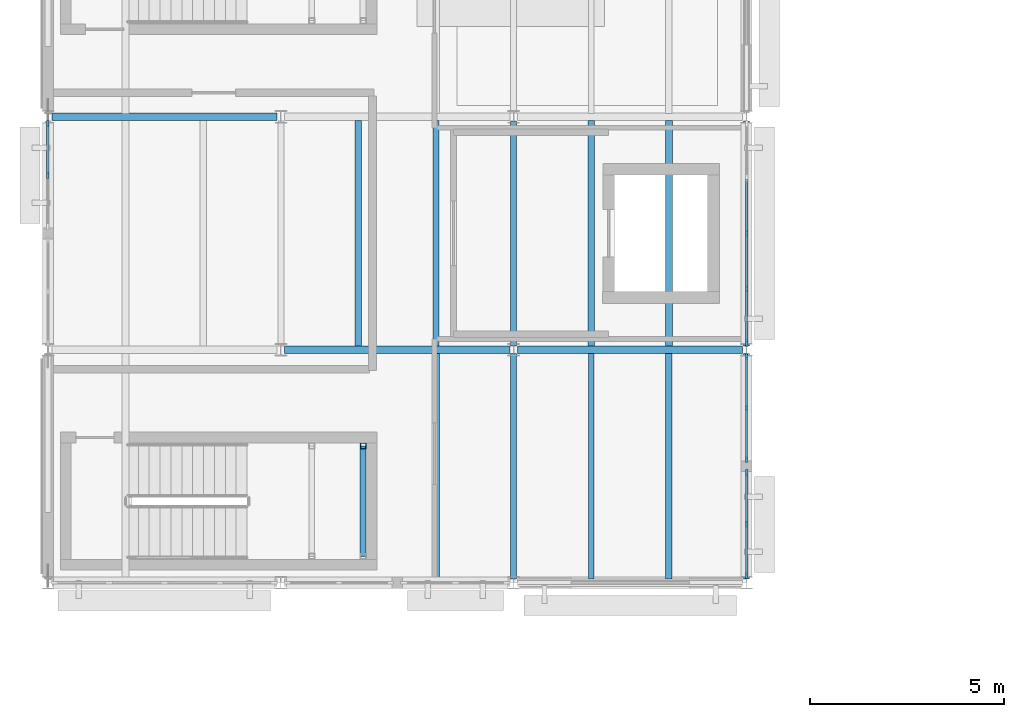
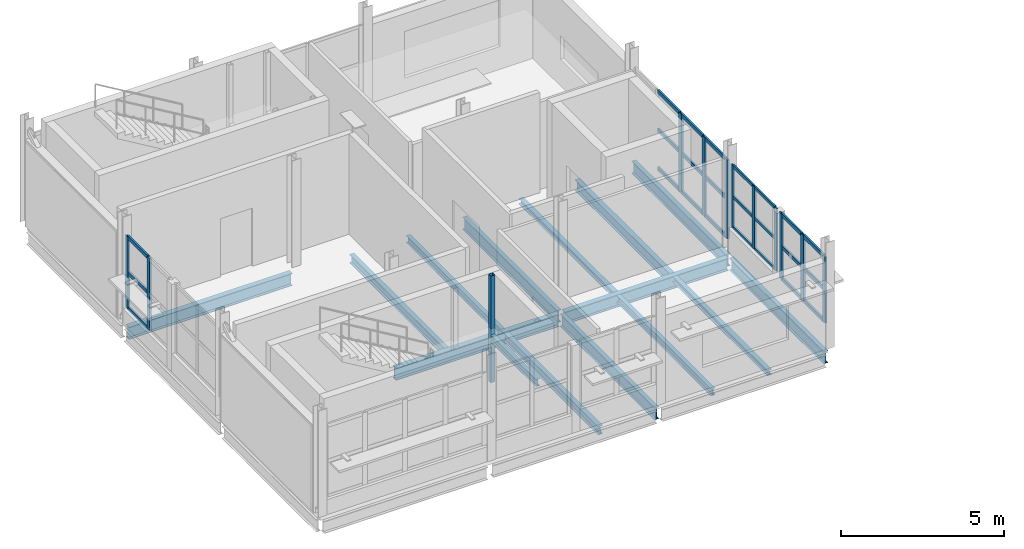
# One storey, part 4 of 23: 36 members, 15 beams, 4 elements without a shape of their own.
"""IFC4 building model written with IfcOpenShell, lengths in metres."""

from ifc_helpers import new_model, si_unit, direction, frame, origin, origin_2d, place, context, subcontext, project, spatial, rectangle, hollow_rectangle, i_section, extrude, material, material_profile, profile_set, type_object, element, aggregate, save


model = new_model("IFC4")

# Units and contexts
model_context = context("Model", 3, precision=1e-05, world=origin(), true_north=direction((0.0, 1.0)))
body_context = subcontext(model_context, "Body", "Model", "MODEL_VIEW")
ifc_project = project(units=[si_unit("LENGTHUNIT", "METRE"), si_unit("AREAUNIT", "SQUARE_METRE"), si_unit("VOLUMEUNIT", "CUBIC_METRE"), si_unit("PLANEANGLEUNIT", "RADIAN"), si_unit("MASSUNIT", "GRAM", prefix="KILO")], contexts=[model_context])

# Site, building, storey
site_placement = place(None, origin())
site = spatial("IfcSite", under=ifc_project, at=site_placement, CompositionType="ELEMENT")
building_placement = place(site_placement, origin())
building = spatial("IfcBuilding", under=site, at=building_placement, Name="Siltcreek Boulevard Central Fire Station", CompositionType="ELEMENT")
storey_placement = place(building_placement, frame((0.0, 0.0, 14.0)))
storey = spatial("IfcBuildingStorey", under=building, at=storey_placement, Name="L04", CompositionType="ELEMENT", Elevation=14.0)

# Beams
ifc_material_1 = material(Name="Structural steel ASTM A992 Gr50", Category="steel")
ifc_material_profile_1 = material_profile(ifc_material_1, i_section(OverallWidth=0.154052734375, OverallDepth=0.458984375, WebThickness=0.009033203125, FlangeThickness=0.015380859375, at=origin_2d()), Name="W460X68")
ifc_profile_set_1 = profile_set([ifc_material_profile_1], Name="Structural steel ASTM A992 Gr50")
beam_type_1 = type_object("IfcBeamType", Name="BM_W460X68", PredefinedType="BEAM", material=ifc_profile_set_1)
for number, where, z_axis, x_axis, name in (
    (1, (54.0, 94.300048828125, -0.489501953125), (0.0, 1.0, 0.0), (-1.0, 0.0, 0.0), "L04 primary steel girder GY-0532"),
    (2, (54.0, 100.300048828125, -0.489501953125), (0.0, 1.0, 0.0), (-1.0, 0.0, 0.0), "L04 primary steel girder GY-0533"),
    (3, (60.0, 94.300048828125, -0.489501953125), (0.0, 1.0, 0.0), (-1.0, 0.0, 0.0), "L04 primary steel girder GY-0535"),
    (4, (60.0, 100.300048828125, -0.489501953125), (0.0, 1.0, 0.0), (-1.0, 0.0, 0.0), "L04 primary steel girder GY-0536"),
):
    element("IfcBeam", number, at=place(storey_placement, frame(where, z_axis=z_axis, x_axis=x_axis)), inside=storey, type_object=beam_type_1, Name=name, PredefinedType="BEAM", context=body_context, shape_type="SweptSolid", body=[
        extrude(i_section(OverallWidth=0.154052734375, OverallDepth=0.458984375, WebThickness=0.009033203125, FlangeThickness=0.015380859375, at=origin_2d()), origin(), (0.0, 0.0, 1.0), 5.800048828125),
    ])
ifc_material_profile_2 = material_profile(ifc_material_1, i_section(OverallWidth=0.19189453125, OverallDepth=0.462890625, WebThickness=0.010498046875, FlangeThickness=0.017578125, at=origin_2d()), Name="W460X89")
ifc_profile_set_2 = profile_set([ifc_material_profile_2], Name="Structural steel ASTM A992 Gr50")
beam_type_2 = type_object("IfcBeamType", Name="BM_W460X89", PredefinedType="BEAM", material=ifc_profile_set_2)
for number, where, z_axis, x_axis, name in (
    (5, (48.10009765625, 100.199951171875, -0.491455078125), (1.0, 0.0, 0.0), (0.0, 1.0, 0.0), "L04 primary steel girder GX-0520"),
    (6, (54.10009765625, 100.199951171875, -0.491455078125), (1.0, 0.0, 0.0), (0.0, 1.0, 0.0), "L04 primary steel girder GX-0521"),
    (7, (42.10009765625, 106.199951171875, -0.491455078125), (1.0, 0.0, 0.0), (0.0, 1.0, 0.0), "L04 primary steel girder GX-0522"),
):
    element("IfcBeam", number, at=place(storey_placement, frame(where, z_axis=z_axis, x_axis=x_axis)), inside=storey, type_object=beam_type_2, Name=name, PredefinedType="BEAM", context=body_context, shape_type="SweptSolid", body=[
        extrude(i_section(OverallWidth=0.19189453125, OverallDepth=0.462890625, WebThickness=0.010498046875, FlangeThickness=0.017578125, at=origin_2d()), origin(), (0.0, 0.0, 1.0), 5.7998046875),
    ])

# Member
ifc_material_2 = material(Name="Structural steel ASTM A500 GrC", Category="steel")
ifc_material_profile_3 = material_profile(ifc_material_2, hollow_rectangle(XDim=0.14990234375, YDim=0.14990234375, WallThickness=0.008056640625, at=origin_2d()), Name="HSS150X150X8.0")
ifc_profile_set_3 = profile_set([ifc_material_profile_3], Name="Structural steel ASTM A500 GrC")
member_type_1 = type_object("IfcMemberType", Name="BR_HSS150_8", PredefinedType="BRACE", material=ifc_profile_set_3)
member_1_placement = place(storey_placement, frame((50.1201171875, 97.719970703125, 0.0), z_axis=(0.0, 0.0, 1.0), x_axis=(1.0, 0.0, 0.0)))
element("IfcMember", 8, at=member_1_placement, inside=storey, type_object=member_type_1, Name="L04 ST-V3A stair landing corner post NE", PredefinedType="BRACE", context=body_context, shape_type="SweptSolid", body=[
    extrude(hollow_rectangle(XDim=0.14990234375, YDim=0.14990234375, WallThickness=0.008056640625, at=origin_2d()), origin(), (0.0, 0.0, 1.0), 4.0),
])

# Curtain wall, members
ifc_material_3 = material(Name="Anodized aluminum and low-E insulated glazing", Category="aluminium")
curtain_wall_type_1 = type_object("IfcCurtainWallType", Name="CW_SYS_06", PredefinedType="USERDEFINED", material=ifc_material_3)
curtain_wall_1_placement = place(storey_placement, origin())
curtain_wall_1 = element("IfcCurtainWall", 9, at=curtain_wall_1_placement, inside=storey, type_object=curtain_wall_type_1, Name="L04 V3 unitised curtain wall CW-065", ObjectType="CURTAIN WALL", PredefinedType="USERDEFINED")
ifc_material_4 = material(Name="Anodized 6063-T6 aluminum framing", Category="aluminium")
ifc_material_profile_4 = material_profile(ifc_material_4, rectangle(XDim=0.06005859375, YDim=0.14990234375, at=origin_2d()), Name="MULL60X150")
ifc_profile_set_4 = profile_set([ifc_material_profile_4], Name="Anodized 6063-T6 aluminum framing")
member_type_2 = type_object("IfcMemberType", Name="CWM_60X150", PredefinedType="MULLION", material=ifc_profile_set_4)
member_2_placement = place(storey_placement, frame((60.0, 97.3701171875, 0.919921875), z_axis=(0.0, 0.0, 1.0), x_axis=(-1.0, 0.0, 0.0)))
member_2 = element("IfcMember", 10, at=member_2_placement, type_object=member_type_2, Name="CW-065 mullion 1", PredefinedType="MULLION", context=body_context, shape_type="SweptSolid", body=[
    extrude(rectangle(XDim=0.06005859375, YDim=0.14990234375, at=origin_2d()), origin(), (0.0, 0.0, 1.0), 2.35302734375),
])
member_3_placement = place(storey_placement, frame((60.0, 98.697509765625, 0.919921875), z_axis=(0.0, 0.0, 1.0), x_axis=(-1.0, 0.0, 0.0)))
member_3 = element("IfcMember", 11, at=member_3_placement, type_object=member_type_2, Name="CW-065 mullion 2", PredefinedType="MULLION", context=body_context, shape_type="SweptSolid", body=[
    extrude(rectangle(XDim=0.06005859375, YDim=0.14990234375, at=origin_2d()), origin(), (0.0, 0.0, 1.0), 2.35302734375),
])
member_4_placement = place(storey_placement, frame((60.0, 100.02490234375, 0.919921875), z_axis=(0.0, 0.0, 1.0), x_axis=(-1.0, 0.0, 0.0)))
member_4 = element("IfcMember", 12, at=member_4_placement, type_object=member_type_2, Name="CW-065 mullion 3", PredefinedType="MULLION", context=body_context, shape_type="SweptSolid", body=[
    extrude(rectangle(XDim=0.06005859375, YDim=0.14990234375, at=origin_2d()), origin(), (0.0, 0.0, 1.0), 2.35302734375),
])

curtain_wall_type_2 = type_object("IfcCurtainWallType", Name="CW_SYS_03", PredefinedType="USERDEFINED", material=ifc_material_3)
curtain_wall_2_placement = place(storey_placement, origin())
curtain_wall_2 = element("IfcCurtainWall", 13, at=curtain_wall_2_placement, inside=storey, type_object=curtain_wall_type_2, Name="L04 V3 unitised curtain wall CW-062", ObjectType="CURTAIN WALL", PredefinedType="USERDEFINED")
ifc_material_profile_5 = material_profile(ifc_material_4, rectangle(XDim=0.06494140625, YDim=0.175048828125, at=origin_2d()), Name="MULL65X175")
ifc_profile_set_5 = profile_set([ifc_material_profile_5], Name="Anodized 6063-T6 aluminum framing")
member_type_3 = type_object("IfcMemberType", Name="CWM_65X175", PredefinedType="MULLION", material=ifc_profile_set_5)
member_5_placement = place(storey_placement, frame((42.0, 106.0224609375, 0.56005859375), z_axis=(0.0, 0.0, 1.0), x_axis=(1.0, 0.0, 0.0)))
member_5 = element("IfcMember", 14, at=member_5_placement, type_object=member_type_3, Name="CW-062 mullion 1", PredefinedType="MULLION", context=body_context, shape_type="SweptSolid", body=[
    extrude(rectangle(XDim=0.06494140625, YDim=0.175048828125, at=origin_2d()), origin(), (0.0, 0.0, 1.0), 2.712890625),
])
member_6_placement = place(storey_placement, frame((42.0, 104.697509765625, 0.56005859375), z_axis=(0.0, 0.0, 1.0), x_axis=(1.0, 0.0, 0.0)))
member_6 = element("IfcMember", 15, at=member_6_placement, type_object=member_type_3, Name="CW-062 mullion 2", PredefinedType="MULLION", context=body_context, shape_type="SweptSolid", body=[
    extrude(rectangle(XDim=0.06494140625, YDim=0.175048828125, at=origin_2d()), origin(), (0.0, 0.0, 1.0), 2.712890625),
])

curtain_wall_type_3 = type_object("IfcCurtainWallType", Name="CW_SYS_05", PredefinedType="USERDEFINED", material=ifc_material_3)
curtain_wall_3_placement = place(storey_placement, origin())
curtain_wall_3 = element("IfcCurtainWall", 16, at=curtain_wall_3_placement, inside=storey, type_object=curtain_wall_type_3, Name="L04 V3 unitised curtain wall CW-064", ObjectType="CURTAIN WALL", PredefinedType="USERDEFINED")
member_7_placement = place(storey_placement, frame((60.0, 94.37744140625, 0.800048828125), z_axis=(0.0, 0.0, 1.0), x_axis=(-1.0, 0.0, 0.0)))
member_7 = element("IfcMember", 17, at=member_7_placement, type_object=member_type_3, Name="CW-064 mullion 1", PredefinedType="MULLION", context=body_context, shape_type="SweptSolid", body=[
    extrude(rectangle(XDim=0.06494140625, YDim=0.175048828125, at=origin_2d()), origin(), (0.0, 0.0, 1.0), 2.472900390625),
])
member_8_placement = place(storey_placement, frame((60.0, 95.702392578125, 0.800048828125), z_axis=(0.0, 0.0, 1.0), x_axis=(-1.0, 0.0, 0.0)))
member_8 = element("IfcMember", 18, at=member_8_placement, type_object=member_type_3, Name="CW-064 mullion 2", PredefinedType="MULLION", context=body_context, shape_type="SweptSolid", body=[
    extrude(rectangle(XDim=0.06494140625, YDim=0.175048828125, at=origin_2d()), origin(), (0.0, 0.0, 1.0), 2.472900390625),
])
member_9_placement = place(storey_placement, frame((60.0, 97.027587890625, 0.800048828125), z_axis=(0.0, 0.0, 1.0), x_axis=(-1.0, 0.0, 0.0)))
member_9 = element("IfcMember", 19, at=member_9_placement, type_object=member_type_3, Name="CW-064 mullion 3", PredefinedType="MULLION", context=body_context, shape_type="SweptSolid", body=[
    extrude(rectangle(XDim=0.06494140625, YDim=0.175048828125, at=origin_2d()), origin(), (0.0, 0.0, 1.0), 2.472900390625),
])

curtain_wall_type_4 = type_object("IfcCurtainWallType", Name="CW_SYS_07", PredefinedType="USERDEFINED", material=ifc_material_3)
curtain_wall_4_placement = place(storey_placement, origin())
curtain_wall_4 = element("IfcCurtainWall", 20, at=curtain_wall_4_placement, inside=storey, type_object=curtain_wall_type_4, Name="L04 V3 unitised curtain wall CW-066", ObjectType="CURTAIN WALL", PredefinedType="USERDEFINED")
member_10_placement = place(storey_placement, frame((60.0, 100.37744140625, 0.320068359375), z_axis=(0.0, 0.0, 1.0), x_axis=(-1.0, 0.0, 0.0)))
member_10 = element("IfcMember", 21, at=member_10_placement, type_object=member_type_3, Name="CW-066 mullion 1", PredefinedType="MULLION", context=body_context, shape_type="SweptSolid", body=[
    extrude(rectangle(XDim=0.06494140625, YDim=0.175048828125, at=origin_2d()), origin(), (0.0, 0.0, 1.0), 2.952880859375),
])
member_11_placement = place(storey_placement, frame((60.0, 101.7724609375, 0.320068359375), z_axis=(0.0, 0.0, 1.0), x_axis=(-1.0, 0.0, 0.0)))
member_11 = element("IfcMember", 22, at=member_11_placement, type_object=member_type_3, Name="CW-066 mullion 2", PredefinedType="MULLION", context=body_context, shape_type="SweptSolid", body=[
    extrude(rectangle(XDim=0.06494140625, YDim=0.175048828125, at=origin_2d()), origin(), (0.0, 0.0, 1.0), 2.952880859375),
])
member_12_placement = place(storey_placement, frame((60.0, 103.199951171875, 0.320068359375), z_axis=(0.0, 0.0, 1.0), x_axis=(-1.0, 0.0, 0.0)))
member_12 = element("IfcMember", 23, at=member_12_placement, type_object=member_type_3, Name="CW-066 mullion 3", PredefinedType="MULLION", context=body_context, shape_type="SweptSolid", body=[
    extrude(rectangle(XDim=0.06494140625, YDim=0.175048828125, at=origin_2d()), origin(), (0.0, 0.0, 1.0), 2.952880859375),
])

# Member
ifc_material_profile_6 = material_profile(ifc_material_4, rectangle(XDim=0.06005859375, YDim=0.114990234375, at=origin_2d()), Name="TRAN60X115")
ifc_profile_set_6 = profile_set([ifc_material_profile_6], Name="Anodized 6063-T6 aluminum framing")
member_type_4 = type_object("IfcMemberType", Name="CWT_60X115", PredefinedType="USERDEFINED", material=ifc_profile_set_6)
member_13_placement = place(storey_placement, frame((60.0, 97.39990234375, 0.949951171875), z_axis=(0.0, 1.0, 0.0), x_axis=(-1.0, 0.0, 0.0)))
member_13 = element("IfcMember", 24, at=member_13_placement, type_object=member_type_4, Name="CW-065 transom 1.1", ObjectType="TRANSOM", PredefinedType="USERDEFINED", context=body_context, shape_type="SweptSolid", body=[
    extrude(rectangle(XDim=0.06005859375, YDim=0.114990234375, at=origin_2d()), origin(), (0.0, 0.0, 1.0), 1.267578125),
])

member_14_placement = place(storey_placement, frame((60.0, 97.39990234375, 2.096435546875), z_axis=(0.0, 1.0, 0.0), x_axis=(-1.0, 0.0, 0.0)))
member_14 = element("IfcMember", 25, at=member_14_placement, type_object=member_type_4, Name="CW-065 transom 1.2", ObjectType="TRANSOM", PredefinedType="USERDEFINED", context=body_context, shape_type="SweptSolid", body=[
    extrude(rectangle(XDim=0.06005859375, YDim=0.114990234375, at=origin_2d()), origin(), (0.0, 0.0, 1.0), 1.267578125),
])

member_15_placement = place(storey_placement, frame((60.0, 97.39990234375, 3.242919921875), z_axis=(0.0, 1.0, 0.0), x_axis=(-1.0, 0.0, 0.0)))
member_15 = element("IfcMember", 26, at=member_15_placement, type_object=member_type_4, Name="CW-065 transom 1.3", ObjectType="TRANSOM", PredefinedType="USERDEFINED", context=body_context, shape_type="SweptSolid", body=[
    extrude(rectangle(XDim=0.06005859375, YDim=0.114990234375, at=origin_2d()), origin(), (0.0, 0.0, 1.0), 1.267578125),
])

member_16_placement = place(storey_placement, frame((60.0, 98.7275390625, 0.949951171875), z_axis=(0.0, 1.0, 0.0), x_axis=(-1.0, 0.0, 0.0)))
member_16 = element("IfcMember", 27, at=member_16_placement, type_object=member_type_4, Name="CW-065 transom 2.1", ObjectType="TRANSOM", PredefinedType="USERDEFINED", context=body_context, shape_type="SweptSolid", body=[
    extrude(rectangle(XDim=0.06005859375, YDim=0.114990234375, at=origin_2d()), origin(), (0.0, 0.0, 1.0), 1.267578125),
])

member_17_placement = place(storey_placement, frame((60.0, 98.7275390625, 2.096435546875), z_axis=(0.0, 1.0, 0.0), x_axis=(-1.0, 0.0, 0.0)))
member_17 = element("IfcMember", 28, at=member_17_placement, type_object=member_type_4, Name="CW-065 transom 2.2", ObjectType="TRANSOM", PredefinedType="USERDEFINED", context=body_context, shape_type="SweptSolid", body=[
    extrude(rectangle(XDim=0.06005859375, YDim=0.114990234375, at=origin_2d()), origin(), (0.0, 0.0, 1.0), 1.267578125),
])

member_18_placement = place(storey_placement, frame((60.0, 98.7275390625, 3.242919921875), z_axis=(0.0, 1.0, 0.0), x_axis=(-1.0, 0.0, 0.0)))
member_18 = element("IfcMember", 29, at=member_18_placement, type_object=member_type_4, Name="CW-065 transom 2.3", ObjectType="TRANSOM", PredefinedType="USERDEFINED", context=body_context, shape_type="SweptSolid", body=[
    extrude(rectangle(XDim=0.06005859375, YDim=0.114990234375, at=origin_2d()), origin(), (0.0, 0.0, 1.0), 1.267578125),
])

aggregate(curtain_wall_1, [member_2, member_3, member_4, member_13, member_14, member_15, member_16, member_17, member_18])

ifc_material_profile_7 = material_profile(ifc_material_4, rectangle(XDim=0.06494140625, YDim=0.135009765625, at=origin_2d()), Name="TRAN65X135")
ifc_profile_set_7 = profile_set([ifc_material_profile_7], Name="Anodized 6063-T6 aluminum framing")
member_type_5 = type_object("IfcMemberType", Name="CWT_65X135", PredefinedType="USERDEFINED", material=ifc_profile_set_7)
member_19_placement = place(storey_placement, frame((42.0, 105.989990234375, 0.592529296875), z_axis=(0.0, -1.0, 0.0), x_axis=(1.0, 0.0, 0.0)))
member_19 = element("IfcMember", 30, at=member_19_placement, type_object=member_type_5, Name="CW-062 transom 1.1", ObjectType="TRANSOM", PredefinedType="USERDEFINED", context=body_context, shape_type="SweptSolid", body=[
    extrude(rectangle(XDim=0.06494140625, YDim=0.135009765625, at=origin_2d()), origin(), (0.0, 0.0, 1.0), 1.260009765625),
])

member_20_placement = place(storey_placement, frame((42.0, 105.989990234375, 1.91650390625), z_axis=(0.0, -1.0, 0.0), x_axis=(1.0, 0.0, 0.0)))
member_20 = element("IfcMember", 31, at=member_20_placement, type_object=member_type_5, Name="CW-062 transom 1.2", ObjectType="TRANSOM", PredefinedType="USERDEFINED", context=body_context, shape_type="SweptSolid", body=[
    extrude(rectangle(XDim=0.06494140625, YDim=0.135009765625, at=origin_2d()), origin(), (0.0, 0.0, 1.0), 1.260009765625),
])

member_21_placement = place(storey_placement, frame((42.0, 105.989990234375, 3.240478515625), z_axis=(0.0, -1.0, 0.0), x_axis=(1.0, 0.0, 0.0)))
member_21 = element("IfcMember", 32, at=member_21_placement, type_object=member_type_5, Name="CW-062 transom 1.3", ObjectType="TRANSOM", PredefinedType="USERDEFINED", context=body_context, shape_type="SweptSolid", body=[
    extrude(rectangle(XDim=0.06494140625, YDim=0.135009765625, at=origin_2d()), origin(), (0.0, 0.0, 1.0), 1.260009765625),
])

aggregate(curtain_wall_2, [member_5, member_6, member_19, member_20, member_21])

member_22_placement = place(storey_placement, frame((60.0, 94.409912109375, 0.83251953125), z_axis=(0.0, 1.0, 0.0), x_axis=(-1.0, 0.0, 0.0)))
member_22 = element("IfcMember", 33, at=member_22_placement, type_object=member_type_5, Name="CW-064 transom 1.1", ObjectType="TRANSOM", PredefinedType="USERDEFINED", context=body_context, shape_type="SweptSolid", body=[
    extrude(rectangle(XDim=0.06494140625, YDim=0.135009765625, at=origin_2d()), origin(), (0.0, 0.0, 1.0), 1.260009765625),
])

member_23_placement = place(storey_placement, frame((60.0, 94.409912109375, 2.03662109375), z_axis=(0.0, 1.0, 0.0), x_axis=(-1.0, 0.0, 0.0)))
member_23 = element("IfcMember", 34, at=member_23_placement, type_object=member_type_5, Name="CW-064 transom 1.2", ObjectType="TRANSOM", PredefinedType="USERDEFINED", context=body_context, shape_type="SweptSolid", body=[
    extrude(rectangle(XDim=0.06494140625, YDim=0.135009765625, at=origin_2d()), origin(), (0.0, 0.0, 1.0), 1.260009765625),
])

member_24_placement = place(storey_placement, frame((60.0, 94.409912109375, 3.240478515625), z_axis=(0.0, 1.0, 0.0), x_axis=(-1.0, 0.0, 0.0)))
member_24 = element("IfcMember", 35, at=member_24_placement, type_object=member_type_5, Name="CW-064 transom 1.3", ObjectType="TRANSOM", PredefinedType="USERDEFINED", context=body_context, shape_type="SweptSolid", body=[
    extrude(rectangle(XDim=0.06494140625, YDim=0.135009765625, at=origin_2d()), origin(), (0.0, 0.0, 1.0), 1.260009765625),
])

member_25_placement = place(storey_placement, frame((60.0, 95.735107421875, 0.83251953125), z_axis=(0.0, 1.0, 0.0), x_axis=(-1.0, 0.0, 0.0)))
member_25 = element("IfcMember", 36, at=member_25_placement, type_object=member_type_5, Name="CW-064 transom 2.1", ObjectType="TRANSOM", PredefinedType="USERDEFINED", context=body_context, shape_type="SweptSolid", body=[
    extrude(rectangle(XDim=0.06494140625, YDim=0.135009765625, at=origin_2d()), origin(), (0.0, 0.0, 1.0), 1.260009765625),
])

member_26_placement = place(storey_placement, frame((60.0, 95.735107421875, 2.03662109375), z_axis=(0.0, 1.0, 0.0), x_axis=(-1.0, 0.0, 0.0)))
member_26 = element("IfcMember", 37, at=member_26_placement, type_object=member_type_5, Name="CW-064 transom 2.2", ObjectType="TRANSOM", PredefinedType="USERDEFINED", context=body_context, shape_type="SweptSolid", body=[
    extrude(rectangle(XDim=0.06494140625, YDim=0.135009765625, at=origin_2d()), origin(), (0.0, 0.0, 1.0), 1.260009765625),
])

member_27_placement = place(storey_placement, frame((60.0, 95.735107421875, 3.240478515625), z_axis=(0.0, 1.0, 0.0), x_axis=(-1.0, 0.0, 0.0)))
member_27 = element("IfcMember", 38, at=member_27_placement, type_object=member_type_5, Name="CW-064 transom 2.3", ObjectType="TRANSOM", PredefinedType="USERDEFINED", context=body_context, shape_type="SweptSolid", body=[
    extrude(rectangle(XDim=0.06494140625, YDim=0.135009765625, at=origin_2d()), origin(), (0.0, 0.0, 1.0), 1.260009765625),
])

aggregate(curtain_wall_3, [member_7, member_8, member_9, member_22, member_23, member_24, member_25, member_26, member_27])

member_28_placement = place(storey_placement, frame((60.0, 100.409912109375, 0.3525390625), z_axis=(0.0, 1.0, 0.0), x_axis=(-1.0, 0.0, 0.0)))
member_28 = element("IfcMember", 39, at=member_28_placement, type_object=member_type_5, Name="CW-066 transom 1.1", ObjectType="TRANSOM", PredefinedType="USERDEFINED", context=body_context, shape_type="SweptSolid", body=[
    extrude(rectangle(XDim=0.06494140625, YDim=0.135009765625, at=origin_2d()), origin(), (0.0, 0.0, 1.0), 1.330078125),
])

member_29_placement = place(storey_placement, frame((60.0, 100.409912109375, 1.79638671875), z_axis=(0.0, 1.0, 0.0), x_axis=(-1.0, 0.0, 0.0)))
member_29 = element("IfcMember", 40, at=member_29_placement, type_object=member_type_5, Name="CW-066 transom 1.2", ObjectType="TRANSOM", PredefinedType="USERDEFINED", context=body_context, shape_type="SweptSolid", body=[
    extrude(rectangle(XDim=0.06494140625, YDim=0.135009765625, at=origin_2d()), origin(), (0.0, 0.0, 1.0), 1.330078125),
])

member_30_placement = place(storey_placement, frame((60.0, 100.409912109375, 3.240478515625), z_axis=(0.0, 1.0, 0.0), x_axis=(-1.0, 0.0, 0.0)))
member_30 = element("IfcMember", 41, at=member_30_placement, type_object=member_type_5, Name="CW-066 transom 1.3", ObjectType="TRANSOM", PredefinedType="USERDEFINED", context=body_context, shape_type="SweptSolid", body=[
    extrude(rectangle(XDim=0.06494140625, YDim=0.135009765625, at=origin_2d()), origin(), (0.0, 0.0, 1.0), 1.330078125),
])

member_31_placement = place(storey_placement, frame((60.0, 101.804931640625, 0.3525390625), z_axis=(0.0, 1.0, 0.0), x_axis=(-1.0, 0.0, 0.0)))
member_31 = element("IfcMember", 42, at=member_31_placement, type_object=member_type_5, Name="CW-066 transom 2.1", ObjectType="TRANSOM", PredefinedType="USERDEFINED", context=body_context, shape_type="SweptSolid", body=[
    extrude(rectangle(XDim=0.06494140625, YDim=0.135009765625, at=origin_2d()), origin(), (0.0, 0.0, 1.0), 1.362548828125),
])

member_32_placement = place(storey_placement, frame((60.0, 101.804931640625, 1.79638671875), z_axis=(0.0, 1.0, 0.0), x_axis=(-1.0, 0.0, 0.0)))
member_32 = element("IfcMember", 43, at=member_32_placement, type_object=member_type_5, Name="CW-066 transom 2.2", ObjectType="TRANSOM", PredefinedType="USERDEFINED", context=body_context, shape_type="SweptSolid", body=[
    extrude(rectangle(XDim=0.06494140625, YDim=0.135009765625, at=origin_2d()), origin(), (0.0, 0.0, 1.0), 1.362548828125),
])

member_33_placement = place(storey_placement, frame((60.0, 101.804931640625, 3.240478515625), z_axis=(0.0, 1.0, 0.0), x_axis=(-1.0, 0.0, 0.0)))
member_33 = element("IfcMember", 44, at=member_33_placement, type_object=member_type_5, Name="CW-066 transom 2.3", ObjectType="TRANSOM", PredefinedType="USERDEFINED", context=body_context, shape_type="SweptSolid", body=[
    extrude(rectangle(XDim=0.06494140625, YDim=0.135009765625, at=origin_2d()), origin(), (0.0, 0.0, 1.0), 1.362548828125),
])

member_34_placement = place(storey_placement, frame((60.0, 103.232421875, 0.3525390625), z_axis=(0.0, 1.0, 0.0), x_axis=(-1.0, 0.0, 0.0)))
member_34 = element("IfcMember", 45, at=member_34_placement, type_object=member_type_5, Name="CW-066 transom 3.1", ObjectType="TRANSOM", PredefinedType="USERDEFINED", context=body_context, shape_type="SweptSolid", body=[
    extrude(rectangle(XDim=0.06494140625, YDim=0.135009765625, at=origin_2d()), origin(), (0.0, 0.0, 1.0), 1.362548828125),
])

member_35_placement = place(storey_placement, frame((60.0, 103.232421875, 1.79638671875), z_axis=(0.0, 1.0, 0.0), x_axis=(-1.0, 0.0, 0.0)))
member_35 = element("IfcMember", 46, at=member_35_placement, type_object=member_type_5, Name="CW-066 transom 3.2", ObjectType="TRANSOM", PredefinedType="USERDEFINED", context=body_context, shape_type="SweptSolid", body=[
    extrude(rectangle(XDim=0.06494140625, YDim=0.135009765625, at=origin_2d()), origin(), (0.0, 0.0, 1.0), 1.362548828125),
])

member_36_placement = place(storey_placement, frame((60.0, 103.232421875, 3.240478515625), z_axis=(0.0, 1.0, 0.0), x_axis=(-1.0, 0.0, 0.0)))
member_36 = element("IfcMember", 47, at=member_36_placement, type_object=member_type_5, Name="CW-066 transom 3.3", ObjectType="TRANSOM", PredefinedType="USERDEFINED", context=body_context, shape_type="SweptSolid", body=[
    extrude(rectangle(XDim=0.06494140625, YDim=0.135009765625, at=origin_2d()), origin(), (0.0, 0.0, 1.0), 1.362548828125),
])

aggregate(curtain_wall_4, [member_10, member_11, member_12, member_28, member_29, member_30, member_31, member_32, member_33, member_34, member_35, member_36])

# Beams
ifc_material_profile_8 = material_profile(ifc_material_1, i_section(OverallWidth=0.1650390625, OverallDepth=0.200927734375, WebThickness=0.006103515625, FlangeThickness=0.01025390625, at=origin_2d()), Name="W200X36")
ifc_profile_set_8 = profile_set([ifc_material_profile_8], Name="Structural steel ASTM A992 Gr50")
beam_type_3 = type_object("IfcBeamType", Name="JST_W200X36", PredefinedType="JOIST", material=ifc_profile_set_8)
for number, where, z_axis, x_axis, name in (
    (48, (58.0, 94.2939453125, -0.360595703125), (0.0, 1.0, 0.0), (-1.0, 0.0, 0.0), "L04 secondary steel floor joist 0450"),
    (49, (56.0, 100.2939453125, -0.360595703125), (0.0, 1.0, 0.0), (-1.0, 0.0, 0.0), "L04 secondary steel floor joist 0455"),
):
    element("IfcBeam", number, at=place(storey_placement, frame(where, z_axis=z_axis, x_axis=x_axis)), inside=storey, type_object=beam_type_3, Name=name, PredefinedType="JOIST", context=body_context, shape_type="SweptSolid", body=[
        extrude(i_section(OverallWidth=0.1650390625, OverallDepth=0.200927734375, WebThickness=0.006103515625, FlangeThickness=0.01025390625, at=origin_2d()), origin(), (0.0, 0.0, 1.0), 5.81201171875),
    ])
ifc_material_profile_9 = material_profile(ifc_material_1, i_section(OverallWidth=0.14697265625, OverallDepth=0.261962890625, WebThickness=0.006591796875, FlangeThickness=0.01123046875, at=origin_2d()), Name="W250X39")
ifc_profile_set_9 = profile_set([ifc_material_profile_9], Name="Structural steel ASTM A992 Gr50")
beam_type_4 = type_object("IfcBeamType", Name="JST_W250X39", PredefinedType="JOIST", material=ifc_profile_set_9)
for number, where, z_axis, x_axis, name in (
    (50, (56.0, 94.2939453125, -0.39111328125), (0.0, 1.0, 0.0), (-1.0, 0.0, 0.0), "L04 secondary steel floor joist 0449"),
    (51, (52.0, 100.2939453125, -0.39111328125), (0.0, 1.0, 0.0), (-1.0, 0.0, 0.0), "L04 secondary steel floor joist 0454"),
):
    element("IfcBeam", number, at=place(storey_placement, frame(where, z_axis=z_axis, x_axis=x_axis)), inside=storey, type_object=beam_type_4, Name=name, PredefinedType="JOIST", context=body_context, shape_type="SweptSolid", body=[
        extrude(i_section(OverallWidth=0.14697265625, OverallDepth=0.261962890625, WebThickness=0.006591796875, FlangeThickness=0.01123046875, at=origin_2d()), origin(), (0.0, 0.0, 1.0), 5.81201171875),
    ])
beam_1_placement = place(storey_placement, frame((50.1201171875, 94.8798828125, 1.6689453125), z_axis=(0.0, 1.0, 0.0), x_axis=(-1.0, 0.0, 0.0)))
element("IfcBeam", 52, at=beam_1_placement, inside=storey, type_object=beam_type_4, Name="L04 ST-V3A stair landing bearer MIDE", PredefinedType="JOIST", context=body_context, shape_type="SweptSolid", body=[
    extrude(i_section(OverallWidth=0.14697265625, OverallDepth=0.261962890625, WebThickness=0.006591796875, FlangeThickness=0.01123046875, at=origin_2d()), origin(), (0.0, 0.0, 1.0), 2.840087890625),
])
ifc_material_profile_10 = material_profile(ifc_material_1, i_section(OverallWidth=0.166015625, OverallDepth=0.31298828125, WebThickness=0.006591796875, FlangeThickness=0.01123046875, at=origin_2d()), Name="W310X45")
ifc_profile_set_10 = profile_set([ifc_material_profile_10], Name="Structural steel ASTM A992 Gr50")
beam_type_5 = type_object("IfcBeamType", Name="JST_W310X45", PredefinedType="JOIST", material=ifc_profile_set_10)
for number, where, z_axis, x_axis, name in (
    (53, (52.0, 94.2939453125, -0.41650390625), (0.0, 1.0, 0.0), (-1.0, 0.0, 0.0), "L04 secondary steel floor joist 0448"),
    (54, (50.0, 100.2939453125, -0.41650390625), (0.0, 1.0, 0.0), (-1.0, 0.0, 0.0), "L04 secondary steel floor joist 0453"),
):
    element("IfcBeam", number, at=place(storey_placement, frame(where, z_axis=z_axis, x_axis=x_axis)), inside=storey, type_object=beam_type_5, Name=name, PredefinedType="JOIST", context=body_context, shape_type="SweptSolid", body=[
        extrude(i_section(OverallWidth=0.166015625, OverallDepth=0.31298828125, WebThickness=0.006591796875, FlangeThickness=0.01123046875, at=origin_2d()), origin(), (0.0, 0.0, 1.0), 5.81201171875),
    ])
ifc_material_profile_11 = material_profile(ifc_material_1, i_section(OverallWidth=0.177001953125, OverallDepth=0.403076171875, WebThickness=0.007568359375, FlangeThickness=0.010986328125, at=origin_2d()), Name="W410X53")
ifc_profile_set_11 = profile_set([ifc_material_profile_11], Name="Structural steel ASTM A992 Gr50")
beam_type_6 = type_object("IfcBeamType", Name="JST_W410X53", PredefinedType="JOIST", material=ifc_profile_set_11)
beam_2_placement = place(storey_placement, frame((58.0, 100.2939453125, -0.46142578125), z_axis=(0.0, 1.0, 0.0), x_axis=(-1.0, 0.0, 0.0)))
element("IfcBeam", 55, at=beam_2_placement, inside=storey, type_object=beam_type_6, Name="L04 secondary steel floor joist 0456", PredefinedType="JOIST", context=body_context, shape_type="SweptSolid", body=[
    extrude(i_section(OverallWidth=0.177001953125, OverallDepth=0.403076171875, WebThickness=0.007568359375, FlangeThickness=0.010986328125, at=origin_2d()), origin(), (0.0, 0.0, 1.0), 5.81201171875),
])

save(model, "model.ifc")
